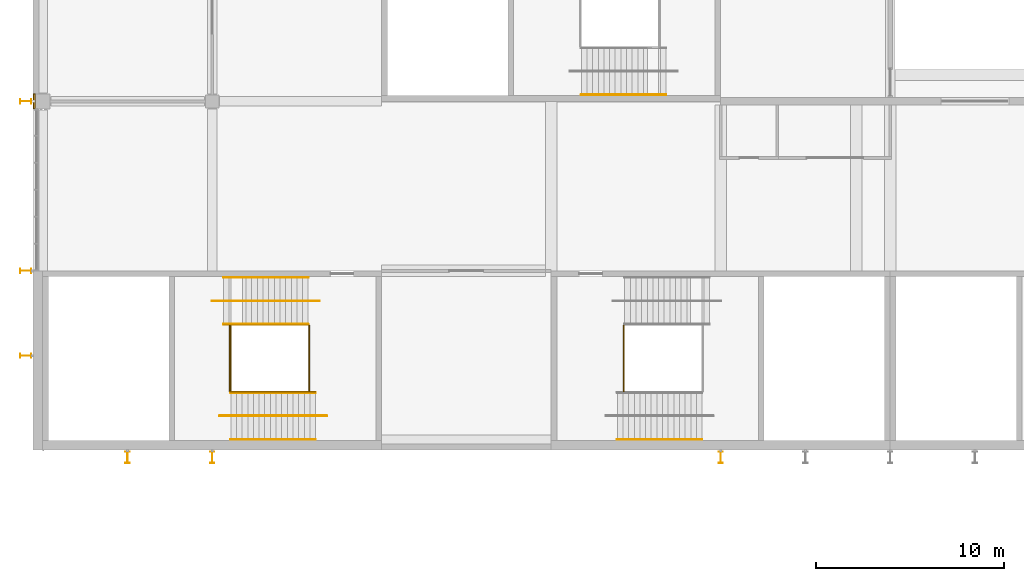
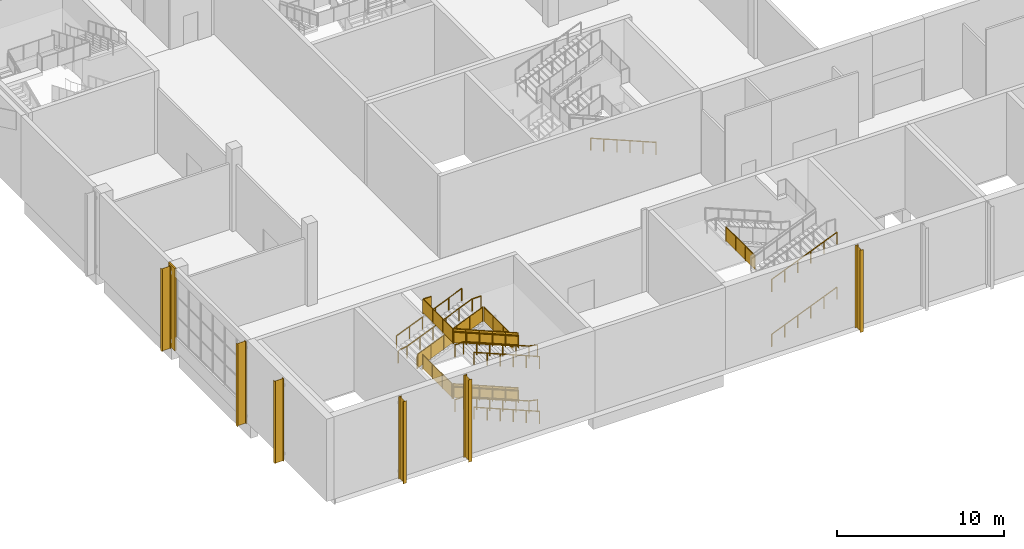
# One storey, part 67 of 89: 19 railings, 6 shading devices, 1 covering.
"""IFC4 building model written with IfcOpenShell, lengths in metres."""

from ifc_helpers import new_model, si_unit, direction, frame, origin, origin_2d, place, context, subcontext, project, spatial, polyline, circle, i_section, outline, extrude, material, layer, layer_set, material_profile, profile_set, type_object, element, save


model = new_model("IFC4")

# Units and contexts
model_context = context("Model", 3, precision=1e-05, world=origin(), true_north=direction((0.0, 1.0)))
body_context = subcontext(model_context, "Body", "Model", "MODEL_VIEW")
ifc_project = project(units=[si_unit("LENGTHUNIT", "METRE"), si_unit("AREAUNIT", "SQUARE_METRE"), si_unit("VOLUMEUNIT", "CUBIC_METRE"), si_unit("PLANEANGLEUNIT", "RADIAN"), si_unit("MASSUNIT", "GRAM", prefix="KILO")], contexts=[model_context])

# Site, building, storey
site_placement = place(None, origin())
site = spatial("IfcSite", under=ifc_project, at=site_placement, CompositionType="ELEMENT")
building_placement = place(site_placement, origin())
building = spatial("IfcBuilding", under=site, at=building_placement, Name="Silverbay Arena", CompositionType="ELEMENT")
storey_placement = place(building_placement, frame((0.0, 0.0, 22.0)))
storey = spatial("IfcBuildingStorey", under=building, at=storey_placement, Name="L03", CompositionType="ELEMENT", Elevation=22.0)

# Covering
ifc_material_1 = material(Name="Aluminium composite cladding", Category="aluminium")
ifc_layer = layer(ifc_material_1, 0.10009765625)
ifc_layer_set = layer_set([ifc_layer], Name="Aluminium composite cladding")
covering_type = type_object("IfcCoveringType", Name="Column cladding 100", PredefinedType="CLADDING", material=ifc_layer_set)
covering_placement = place(storey_placement, origin())
element("IfcCovering", 1, at=covering_placement, inside=storey, type_object=covering_type, Name="West column cladding L03 5", PredefinedType="CLADDING", context=body_context, shape_type="SweptSolid", body=[
    extrude(outline(polyline([(53.5, 35.60009765625), (53.60009765625, 35.60009765625), (53.60009765625, 36.39990234375), (53.5, 36.39990234375), (53.5, 35.60009765625)])), origin(), (0.0, 0.0, 1.0), 6.0),
])

# Railings
ifc_material_2 = material(Name="Stainless steel", Category="steel")
railing_type_1 = type_object("IfcRailingType", Name="Stair guard 1100", PredefinedType="GUARDRAIL", material=ifc_material_2)
railing_1_placement = place(storey_placement, frame((84.85009765625, 24.10009765625, 4.0)))
element("IfcRailing", 2, at=railing_1_placement, inside=storey, type_object=railing_type_1, Name="Stair ST-S1 L03 to L04 landing 2 guard", PredefinedType="GUARDRAIL", context=body_context, shape_type="SweptSolid", body=[
    extrude(circle(Radius=0.02392578125, at=origin_2d()), frame((0.0, 0.0, 1.076171875), z_axis=(0.0, -1.0, 0.0), x_axis=(1.0, 0.0, 0.0)), (0.0, 0.0, 1.0), 3.5),
    extrude(outline(polyline([(-0.008056640625, 0.050048828125), (1.174560546875, 0.050048828125), (1.174560546875, 1.052978515625), (-0.008056640625, 1.052978515625), (-0.008056640625, 0.050048828125)])), frame((0.0029296875, 0.0, 0.0), z_axis=(-1.0, 0.0, 0.0), x_axis=(0.0, -1.0, 0.0)), (0.0, 0.0, 1.0), 0.006103515625),
    extrude(outline(polyline([(-0.008056640625, 0.050048828125), (1.174560546875, 0.050048828125), (1.174560546875, 1.052978515625), (-0.008056640625, 1.052978515625), (-0.008056640625, 0.050048828125)])), frame((0.0029296875, -1.166748046875, 0.0), z_axis=(-1.0, 0.0, 0.0), x_axis=(0.0, -1.0, 0.0)), (0.0, 0.0, 1.0), 0.006103515625),
    extrude(outline(polyline([(-0.008056640625, 0.050048828125), (1.174560546875, 0.050048828125), (1.174560546875, 1.052978515625), (-0.008056640625, 1.052978515625), (-0.008056640625, 0.050048828125)])), frame((0.0029296875, -2.333251953125, 0.0), z_axis=(-1.0, 0.0, 0.0), x_axis=(0.0, -1.0, 0.0)), (0.0, 0.0, 1.0), 0.006103515625),
    extrude(circle(Radius=0.02099609375, at=origin_2d()), origin(), (0.0, 0.0, 1.0), 1.052001953125),
    extrude(circle(Radius=0.02099609375, at=origin_2d()), frame((0.0, -1.166748046875, 0.0)), (0.0, 0.0, 1.0), 1.052001953125),
    extrude(circle(Radius=0.02099609375, at=origin_2d()), frame((0.0, -2.333251953125, 0.0)), (0.0, 0.0, 1.0), 1.052001953125),
    extrude(circle(Radius=0.02099609375, at=origin_2d()), frame((0.0, -3.5, 0.0)), (0.0, 0.0, 1.0), 1.052001953125),
])
railing_2_placement = place(storey_placement, frame((68.489990234375, 20.574951171875, 0.125)))
element("IfcRailing", 3, at=railing_2_placement, inside=storey, type_object=railing_type_1, Name="Stair ST-S5 L03 to L04 flight 1 guard left", PredefinedType="GUARDRAIL", context=body_context, shape_type="SweptSolid", body=[
    extrude(circle(Radius=0.02392578125, at=origin_2d()), frame((0.0, 0.0, 1.076171875), z_axis=(-0.923076923077, 0.0, 0.384615384615), x_axis=(0.0, -1.0, 0.0)), (0.0, 0.0, 1.0), 4.875),
    extrude(outline(polyline([(-0.008056640625, 0.046630859375), (0.907958984375, 0.42822265625), (0.907958984375, 1.431396484375), (-0.008056640625, 1.049560546875), (-0.008056640625, 0.046630859375)])), frame((0.0, -0.0029296875, 0.0), z_axis=(0.0, 1.0, 0.0), x_axis=(-1.0, 0.0, 0.0)), (0.0, 0.0, 1.0), 0.006103515625),
    extrude(outline(polyline([(-0.008056640625, 0.421630859375), (0.907958984375, 0.80322265625), (0.907958984375, 1.806396484375), (-0.008056640625, 1.424560546875), (-0.008056640625, 0.421630859375)])), frame((-0.89990234375, -0.0029296875, 0.0), z_axis=(0.0, 1.0, 0.0), x_axis=(-1.0, 0.0, 0.0)), (0.0, 0.0, 1.0), 0.006103515625),
    extrude(outline(polyline([(-0.008056640625, 0.796630859375), (0.907958984375, 1.17822265625), (0.907958984375, 2.181396484375), (-0.008056640625, 1.799560546875), (-0.008056640625, 0.796630859375)])), frame((-1.800048828125, -0.0029296875, 0.0), z_axis=(0.0, 1.0, 0.0), x_axis=(-1.0, 0.0, 0.0)), (0.0, 0.0, 1.0), 0.006103515625),
    extrude(outline(polyline([(-0.008056640625, 1.171630859375), (0.907958984375, 1.55322265625), (0.907958984375, 2.556396484375), (-0.008056640625, 2.174560546875), (-0.008056640625, 1.171630859375)])), frame((-2.699951171875, -0.0029296875, 0.0), z_axis=(0.0, 1.0, 0.0), x_axis=(-1.0, 0.0, 0.0)), (0.0, 0.0, 1.0), 0.006103515625),
    extrude(outline(polyline([(-0.008056640625, 1.546630859375), (0.907958984375, 1.92822265625), (0.907958984375, 2.931396484375), (-0.008056640625, 2.549560546875), (-0.008056640625, 1.546630859375)])), frame((-3.60009765625, -0.0029296875, 0.0), z_axis=(0.0, 1.0, 0.0), x_axis=(-1.0, 0.0, 0.0)), (0.0, 0.0, 1.0), 0.006103515625),
    extrude(circle(Radius=0.02099609375, at=origin_2d()), origin(), (0.0, 0.0, 1.0), 1.052001953125),
    extrude(circle(Radius=0.02099609375, at=origin_2d()), frame((-0.89990234375, 0.0, 0.375)), (0.0, 0.0, 1.0), 1.052001953125),
    extrude(circle(Radius=0.02099609375, at=origin_2d()), frame((-1.800048828125, 0.0, 0.75)), (0.0, 0.0, 1.0), 1.052001953125),
    extrude(circle(Radius=0.02099609375, at=origin_2d()), frame((-2.699951171875, 0.0, 1.125)), (0.0, 0.0, 1.0), 1.052001953125),
    extrude(circle(Radius=0.02099609375, at=origin_2d()), frame((-3.60009765625, 0.0, 1.5)), (0.0, 0.0, 1.0), 1.052001953125),
    extrude(circle(Radius=0.02099609375, at=origin_2d()), frame((-4.5, 0.0, 1.875)), (0.0, 0.0, 1.0), 1.052001953125),
])
railing_3_placement = place(storey_placement, frame((63.60009765625, 24.125, 2.125)))
element("IfcRailing", 4, at=railing_3_placement, inside=storey, type_object=railing_type_1, Name="Stair ST-S5 L03 to L04 flight 2 guard right", PredefinedType="GUARDRAIL", context=body_context, shape_type="SweptSolid", body=[
    extrude(circle(Radius=0.02392578125, at=origin_2d()), frame((0.0, 0.0, 1.076171875), z_axis=(0.923076923077, 0.0, 0.384615384615), x_axis=(0.0, 1.0, 0.0)), (0.0, 0.0, 1.0), 4.875),
    extrude(outline(polyline([(-0.008056640625, 0.046630859375), (0.907958984375, 0.42822265625), (0.907958984375, 1.431396484375), (-0.008056640625, 1.049560546875), (-0.008056640625, 0.046630859375)])), frame((0.0, 0.0029296875, 0.0), z_axis=(0.0, -1.0, 0.0), x_axis=(1.0, 0.0, 0.0)), (0.0, 0.0, 1.0), 0.006103515625),
    extrude(outline(polyline([(-0.008056640625, 0.421630859375), (0.907958984375, 0.80322265625), (0.907958984375, 1.806396484375), (-0.008056640625, 1.424560546875), (-0.008056640625, 0.421630859375)])), frame((0.89990234375, 0.0029296875, 0.0), z_axis=(0.0, -1.0, 0.0), x_axis=(1.0, 0.0, 0.0)), (0.0, 0.0, 1.0), 0.006103515625),
    extrude(outline(polyline([(-0.008056640625, 0.796630859375), (0.907958984375, 1.17822265625), (0.907958984375, 2.181396484375), (-0.008056640625, 1.799560546875), (-0.008056640625, 0.796630859375)])), frame((1.800048828125, 0.0029296875, 0.0), z_axis=(0.0, -1.0, 0.0), x_axis=(1.0, 0.0, 0.0)), (0.0, 0.0, 1.0), 0.006103515625),
    extrude(outline(polyline([(-0.008056640625, 1.171630859375), (0.907958984375, 1.55322265625), (0.907958984375, 2.556396484375), (-0.008056640625, 2.174560546875), (-0.008056640625, 1.171630859375)])), frame((2.699951171875, 0.0029296875, 0.0), z_axis=(0.0, -1.0, 0.0), x_axis=(1.0, 0.0, 0.0)), (0.0, 0.0, 1.0), 0.006103515625),
    extrude(outline(polyline([(-0.008056640625, 1.546630859375), (0.907958984375, 1.92822265625), (0.907958984375, 2.931396484375), (-0.008056640625, 2.549560546875), (-0.008056640625, 1.546630859375)])), frame((3.60009765625, 0.0029296875, 0.0), z_axis=(0.0, -1.0, 0.0), x_axis=(1.0, 0.0, 0.0)), (0.0, 0.0, 1.0), 0.006103515625),
    extrude(circle(Radius=0.02099609375, at=origin_2d()), origin(), (0.0, 0.0, 1.0), 1.052001953125),
    extrude(circle(Radius=0.02099609375, at=origin_2d()), frame((0.89990234375, 0.0, 0.375)), (0.0, 0.0, 1.0), 1.052001953125),
    extrude(circle(Radius=0.02099609375, at=origin_2d()), frame((1.800048828125, 0.0, 0.75)), (0.0, 0.0, 1.0), 1.052001953125),
    extrude(circle(Radius=0.02099609375, at=origin_2d()), frame((2.699951171875, 0.0, 1.125)), (0.0, 0.0, 1.0), 1.052001953125),
    extrude(circle(Radius=0.02099609375, at=origin_2d()), frame((3.60009765625, 0.0, 1.5)), (0.0, 0.0, 1.0), 1.052001953125),
    extrude(circle(Radius=0.02099609375, at=origin_2d()), frame((4.5, 0.0, 1.875)), (0.0, 0.0, 1.0), 1.052001953125),
])
railing_4_placement = place(storey_placement, frame((68.489990234375, 20.574951171875, 4.125)))
element("IfcRailing", 5, at=railing_4_placement, inside=storey, type_object=railing_type_1, Name="Stair ST-S5 L03 to L04 flight 3 guard left", PredefinedType="GUARDRAIL", context=body_context, shape_type="SweptSolid", body=[
    extrude(circle(Radius=0.02392578125, at=origin_2d()), frame((0.0, 0.0, 1.076171875), z_axis=(-0.923076923077, 0.0, 0.384615384615), x_axis=(0.0, -1.0, 0.0)), (0.0, 0.0, 1.0), 4.875),
    extrude(outline(polyline([(-0.008056640625, 0.046630859375), (0.907958984375, 0.42822265625), (0.907958984375, 1.431396484375), (-0.008056640625, 1.049560546875), (-0.008056640625, 0.046630859375)])), frame((0.0, -0.0029296875, 0.0), z_axis=(0.0, 1.0, 0.0), x_axis=(-1.0, 0.0, 0.0)), (0.0, 0.0, 1.0), 0.006103515625),
    extrude(outline(polyline([(-0.008056640625, 0.421630859375), (0.907958984375, 0.80322265625), (0.907958984375, 1.806396484375), (-0.008056640625, 1.424560546875), (-0.008056640625, 0.421630859375)])), frame((-0.89990234375, -0.0029296875, 0.0), z_axis=(0.0, 1.0, 0.0), x_axis=(-1.0, 0.0, 0.0)), (0.0, 0.0, 1.0), 0.006103515625),
    extrude(outline(polyline([(-0.008056640625, 0.796630859375), (0.907958984375, 1.17822265625), (0.907958984375, 2.181396484375), (-0.008056640625, 1.799560546875), (-0.008056640625, 0.796630859375)])), frame((-1.800048828125, -0.0029296875, 0.0), z_axis=(0.0, 1.0, 0.0), x_axis=(-1.0, 0.0, 0.0)), (0.0, 0.0, 1.0), 0.006103515625),
    extrude(outline(polyline([(-0.008056640625, 1.171630859375), (0.907958984375, 1.55322265625), (0.907958984375, 2.556396484375), (-0.008056640625, 2.174560546875), (-0.008056640625, 1.171630859375)])), frame((-2.699951171875, -0.0029296875, 0.0), z_axis=(0.0, 1.0, 0.0), x_axis=(-1.0, 0.0, 0.0)), (0.0, 0.0, 1.0), 0.006103515625),
    extrude(outline(polyline([(-0.008056640625, 1.546630859375), (0.907958984375, 1.92822265625), (0.907958984375, 2.931396484375), (-0.008056640625, 2.549560546875), (-0.008056640625, 1.546630859375)])), frame((-3.60009765625, -0.0029296875, 0.0), z_axis=(0.0, 1.0, 0.0), x_axis=(-1.0, 0.0, 0.0)), (0.0, 0.0, 1.0), 0.006103515625),
    extrude(circle(Radius=0.02099609375, at=origin_2d()), origin(), (0.0, 0.0, 1.0), 1.052001953125),
    extrude(circle(Radius=0.02099609375, at=origin_2d()), frame((-0.89990234375, 0.0, 0.375)), (0.0, 0.0, 1.0), 1.052001953125),
    extrude(circle(Radius=0.02099609375, at=origin_2d()), frame((-1.800048828125, 0.0, 0.75)), (0.0, 0.0, 1.0), 1.052001953125),
    extrude(circle(Radius=0.02099609375, at=origin_2d()), frame((-2.699951171875, 0.0, 1.125)), (0.0, 0.0, 1.0), 1.052001953125),
    extrude(circle(Radius=0.02099609375, at=origin_2d()), frame((-3.60009765625, 0.0, 1.5)), (0.0, 0.0, 1.0), 1.052001953125),
    extrude(circle(Radius=0.02099609375, at=origin_2d()), frame((-4.5, 0.0, 1.875)), (0.0, 0.0, 1.0), 1.052001953125),
])
for number, where, name in (
    (6, (63.93994140625, 24.10009765625, 2.0), "Stair ST-S5 L03 to L04 landing 1 guard"),
    (7, (68.14990234375, 24.10009765625, 4.0), "Stair ST-S5 L03 to L04 landing 2 guard"),
):
    element("IfcRailing", number, at=place(storey_placement, frame(where)), inside=storey, type_object=railing_type_1, Name=name, PredefinedType="GUARDRAIL", context=body_context, shape_type="SweptSolid", body=[
        extrude(circle(Radius=0.02392578125, at=origin_2d()), frame((0.0, 0.0, 1.076171875), z_axis=(0.0, -1.0, 0.0), x_axis=(1.0, 0.0, 0.0)), (0.0, 0.0, 1.0), 3.5),
        extrude(outline(polyline([(-0.008056640625, 0.050048828125), (1.174560546875, 0.050048828125), (1.174560546875, 1.052978515625), (-0.008056640625, 1.052978515625), (-0.008056640625, 0.050048828125)])), frame((0.0029296875, 0.0, 0.0), z_axis=(-1.0, 0.0, 0.0), x_axis=(0.0, -1.0, 0.0)), (0.0, 0.0, 1.0), 0.006103515625),
        extrude(outline(polyline([(-0.008056640625, 0.050048828125), (1.174560546875, 0.050048828125), (1.174560546875, 1.052978515625), (-0.008056640625, 1.052978515625), (-0.008056640625, 0.050048828125)])), frame((0.0029296875, -1.166748046875, 0.0), z_axis=(-1.0, 0.0, 0.0), x_axis=(0.0, -1.0, 0.0)), (0.0, 0.0, 1.0), 0.006103515625),
        extrude(outline(polyline([(-0.008056640625, 0.050048828125), (1.174560546875, 0.050048828125), (1.174560546875, 1.052978515625), (-0.008056640625, 1.052978515625), (-0.008056640625, 0.050048828125)])), frame((0.0029296875, -2.333251953125, 0.0), z_axis=(-1.0, 0.0, 0.0), x_axis=(0.0, -1.0, 0.0)), (0.0, 0.0, 1.0), 0.006103515625),
        extrude(circle(Radius=0.02099609375, at=origin_2d()), origin(), (0.0, 0.0, 1.0), 1.052001953125),
        extrude(circle(Radius=0.02099609375, at=origin_2d()), frame((0.0, -1.166748046875, 0.0)), (0.0, 0.0, 1.0), 1.052001953125),
        extrude(circle(Radius=0.02099609375, at=origin_2d()), frame((0.0, -2.333251953125, 0.0)), (0.0, 0.0, 1.0), 1.052001953125),
        extrude(circle(Radius=0.02099609375, at=origin_2d()), frame((0.0, -3.5, 0.0)), (0.0, 0.0, 1.0), 1.052001953125),
    ])
railing_5_placement = place(storey_placement, frame((64.550048828125, 24.14990234375, 6.0)))
element("IfcRailing", 8, at=railing_5_placement, inside=storey, type_object=railing_type_1, Name="Stair ST-S5 L03 to L04 landing 3 guard", PredefinedType="GUARDRAIL", context=body_context, shape_type="SweptSolid", body=[
    extrude(circle(Radius=0.02392578125, at=origin_2d()), frame((0.0, 0.0, 1.076171875), z_axis=(-1.0, 0.0, 0.0), x_axis=(0.0, -1.0, 0.0)), (0.0, 0.0, 1.0), 0.56005859375),
    extrude(outline(polyline([(-0.008056640625, 0.050048828125), (0.568115234375, 0.050048828125), (0.568115234375, 1.052978515625), (-0.008056640625, 1.052978515625), (-0.008056640625, 0.050048828125)])), frame((0.0, -0.0029296875, 0.0), z_axis=(0.0, 1.0, 0.0), x_axis=(-1.0, 0.0, 0.0)), (0.0, 0.0, 1.0), 0.006103515625),
    extrude(circle(Radius=0.02392578125, at=origin_2d()), frame((-0.56005859375, 0.0, 1.076171875), z_axis=(0.0, -1.0, 0.0), x_axis=(1.0, 0.0, 0.0)), (0.0, 0.0, 1.0), 3.5498046875),
    extrude(outline(polyline([(-0.008056640625, 0.050048828125), (1.191162109375, 0.050048828125), (1.191162109375, 1.052978515625), (-0.008056640625, 1.052978515625), (-0.008056640625, 0.050048828125)])), frame((-0.55712890625, 0.0, 0.0), z_axis=(-1.0, 0.0, 0.0), x_axis=(0.0, -1.0, 0.0)), (0.0, 0.0, 1.0), 0.006103515625),
    extrude(outline(polyline([(-0.008056640625, 0.050048828125), (1.191162109375, 0.050048828125), (1.191162109375, 1.052978515625), (-0.008056640625, 1.052978515625), (-0.008056640625, 0.050048828125)])), frame((-0.55712890625, -1.183349609375, 0.0), z_axis=(-1.0, 0.0, 0.0), x_axis=(0.0, -1.0, 0.0)), (0.0, 0.0, 1.0), 0.006103515625),
    extrude(outline(polyline([(-0.008056640625, 0.050048828125), (1.191162109375, 0.050048828125), (1.191162109375, 1.052978515625), (-0.008056640625, 1.052978515625), (-0.008056640625, 0.050048828125)])), frame((-0.55712890625, -2.366455078125, 0.0), z_axis=(-1.0, 0.0, 0.0), x_axis=(0.0, -1.0, 0.0)), (0.0, 0.0, 1.0), 0.006103515625),
    extrude(circle(Radius=0.02099609375, at=origin_2d()), origin(), (0.0, 0.0, 1.0), 1.052001953125),
    extrude(circle(Radius=0.02099609375, at=origin_2d()), frame((-0.56005859375, 0.0, 0.0)), (0.0, 0.0, 1.0), 1.052001953125),
    extrude(circle(Radius=0.02099609375, at=origin_2d()), frame((-0.56005859375, -1.183349609375, 0.0)), (0.0, 0.0, 1.0), 1.052001953125),
    extrude(circle(Radius=0.02099609375, at=origin_2d()), frame((-0.56005859375, -2.366455078125, 0.0)), (0.0, 0.0, 1.0), 1.052001953125),
    extrude(circle(Radius=0.02099609375, at=origin_2d()), frame((-0.56005859375, -3.5498046875, 0.0)), (0.0, 0.0, 1.0), 1.052001953125),
])
ifc_material_3 = material(Name="Stainless steel", Category="steel")
railing_type_2 = type_object("IfcRailingType", Name="Stair handrail 900", PredefinedType="HANDRAIL", material=ifc_material_3)
for number, where, name in (
    (9, (84.510009765625, 18.050048828125, 0.125), "Stair ST-S1 L03 to L04 flight 1 handrail right"),
    (10, (84.510009765625, 18.050048828125, 4.125), "Stair ST-S1 L03 to L04 flight 3 handrail right"),
):
    element("IfcRailing", number, at=place(storey_placement, frame(where)), inside=storey, type_object=railing_type_2, Name=name, PredefinedType="HANDRAIL", context=body_context, shape_type="SweptSolid", body=[
        extrude(circle(Radius=0.02392578125, at=origin_2d()), frame((0.0, 0.0, 0.8759765625), z_axis=(0.923076923077, 0.0, 0.384615384615), x_axis=(0.0, 1.0, 0.0)), (0.0, 0.0, 1.0), 4.875),
        extrude(circle(Radius=0.02099609375, at=origin_2d()), origin(), (0.0, 0.0, 1.0), 0.851806640625),
        extrude(circle(Radius=0.02099609375, at=origin_2d()), frame((0.89990234375, 0.0, 0.375)), (0.0, 0.0, 1.0), 0.851806640625),
        extrude(circle(Radius=0.02099609375, at=origin_2d()), frame((1.800048828125, 0.0, 0.75)), (0.0, 0.0, 1.0), 0.851806640625),
        extrude(circle(Radius=0.02099609375, at=origin_2d()), frame((2.699951171875, 0.0, 1.125)), (0.0, 0.0, 1.0), 0.851806640625),
        extrude(circle(Radius=0.02099609375, at=origin_2d()), frame((3.60009765625, 0.0, 1.5)), (0.0, 0.0, 1.0), 0.851806640625),
        extrude(circle(Radius=0.02099609375, at=origin_2d()), frame((4.5, 0.0, 1.875)), (0.0, 0.0, 1.0), 0.851806640625),
    ])
for number, where, name in (
    (11, (68.489990234375, 20.535888671875, 0.125), "Stair ST-S5 L03 to L04 flight 1 handrail left"),
    (12, (68.489990234375, 18.050048828125, 0.125), "Stair ST-S5 L03 to L04 flight 1 handrail right"),
):
    element("IfcRailing", number, at=place(storey_placement, frame(where)), inside=storey, type_object=railing_type_2, Name=name, PredefinedType="HANDRAIL", context=body_context, shape_type="SweptSolid", body=[
        extrude(circle(Radius=0.02392578125, at=origin_2d()), frame((0.0, 0.0, 0.8759765625), z_axis=(-0.923076923077, 0.0, 0.384615384615), x_axis=(0.0, -1.0, 0.0)), (0.0, 0.0, 1.0), 4.875),
        extrude(circle(Radius=0.02099609375, at=origin_2d()), origin(), (0.0, 0.0, 1.0), 0.851806640625),
        extrude(circle(Radius=0.02099609375, at=origin_2d()), frame((-0.89990234375, 0.0, 0.375)), (0.0, 0.0, 1.0), 0.851806640625),
        extrude(circle(Radius=0.02099609375, at=origin_2d()), frame((-1.800048828125, 0.0, 0.75)), (0.0, 0.0, 1.0), 0.851806640625),
        extrude(circle(Radius=0.02099609375, at=origin_2d()), frame((-2.699951171875, 0.0, 1.125)), (0.0, 0.0, 1.0), 0.851806640625),
        extrude(circle(Radius=0.02099609375, at=origin_2d()), frame((-3.60009765625, 0.0, 1.5)), (0.0, 0.0, 1.0), 0.851806640625),
        extrude(circle(Radius=0.02099609375, at=origin_2d()), frame((-4.5, 0.0, 1.875)), (0.0, 0.0, 1.0), 0.851806640625),
    ])
railing_6_placement = place(storey_placement, frame((69.090087890625, 19.300048828125, 0.0)))
element("IfcRailing", 13, at=railing_6_placement, inside=storey, type_object=railing_type_2, Name="Stair ST-S5 L03 to L04 flight 1 central handrail", PredefinedType="HANDRAIL", context=body_context, shape_type="SweptSolid", body=[
    extrude(circle(Radius=0.02392578125, at=origin_2d()), frame((0.0, 0.0, 0.8759765625), z_axis=(-0.978987046276, 0.0, 0.203922444139), x_axis=(0.0, -1.0, 0.0)), (0.0, 0.0, 1.0), 0.613037109375),
    extrude(circle(Radius=0.02392578125, at=origin_2d()), frame((-0.60009765625, 0.0, 1.0009765625), z_axis=(-0.923076923077, 0.0, 0.384615384615), x_axis=(0.0, -1.0, 0.0)), (0.0, 0.0, 1.0), 4.875),
    extrude(circle(Radius=0.02392578125, at=origin_2d()), frame((-5.10009765625, 0.0, 2.8759765625), z_axis=(-1.0, 0.0, 0.0), x_axis=(0.0, -1.0, 0.0)), (0.0, 0.0, 1.0), 0.60009765625),
    extrude(circle(Radius=0.02099609375, at=origin_2d()), origin(), (0.0, 0.0, 1.0), 0.851806640625),
    extrude(circle(Radius=0.02099609375, at=origin_2d()), frame((-0.60009765625, 0.0, 0.125)), (0.0, 0.0, 1.0), 0.851806640625),
    extrude(circle(Radius=0.02099609375, at=origin_2d()), frame((-1.5, 0.0, 0.5)), (0.0, 0.0, 1.0), 0.851806640625),
    extrude(circle(Radius=0.02099609375, at=origin_2d()), frame((-2.400146484375, 0.0, 0.875)), (0.0, 0.0, 1.0), 0.851806640625),
    extrude(circle(Radius=0.02099609375, at=origin_2d()), frame((-3.300048828125, 0.0, 1.25)), (0.0, 0.0, 1.0), 0.851806640625),
    extrude(circle(Radius=0.02099609375, at=origin_2d()), frame((-4.2001953125, 0.0, 1.625)), (0.0, 0.0, 1.0), 0.851806640625),
    extrude(circle(Radius=0.02099609375, at=origin_2d()), frame((-5.10009765625, 0.0, 2.0)), (0.0, 0.0, 1.0), 0.851806640625),
    extrude(circle(Radius=0.02099609375, at=origin_2d()), frame((-5.7001953125, 0.0, 2.0)), (0.0, 0.0, 1.0), 0.851806640625),
])
for number, where, name in (
    (14, (63.60009765625, 26.64990234375, 2.125), "Stair ST-S5 L03 to L04 flight 2 handrail left"),
    (15, (63.60009765625, 24.1640625, 2.125), "Stair ST-S5 L03 to L04 flight 2 handrail right"),
):
    element("IfcRailing", number, at=place(storey_placement, frame(where)), inside=storey, type_object=railing_type_2, Name=name, PredefinedType="HANDRAIL", context=body_context, shape_type="SweptSolid", body=[
        extrude(circle(Radius=0.02392578125, at=origin_2d()), frame((0.0, 0.0, 0.8759765625), z_axis=(0.923076923077, 0.0, 0.384615384615), x_axis=(0.0, 1.0, 0.0)), (0.0, 0.0, 1.0), 4.875),
        extrude(circle(Radius=0.02099609375, at=origin_2d()), origin(), (0.0, 0.0, 1.0), 0.851806640625),
        extrude(circle(Radius=0.02099609375, at=origin_2d()), frame((0.89990234375, 0.0, 0.375)), (0.0, 0.0, 1.0), 0.851806640625),
        extrude(circle(Radius=0.02099609375, at=origin_2d()), frame((1.800048828125, 0.0, 0.75)), (0.0, 0.0, 1.0), 0.851806640625),
        extrude(circle(Radius=0.02099609375, at=origin_2d()), frame((2.699951171875, 0.0, 1.125)), (0.0, 0.0, 1.0), 0.851806640625),
        extrude(circle(Radius=0.02099609375, at=origin_2d()), frame((3.60009765625, 0.0, 1.5)), (0.0, 0.0, 1.0), 0.851806640625),
        extrude(circle(Radius=0.02099609375, at=origin_2d()), frame((4.5, 0.0, 1.875)), (0.0, 0.0, 1.0), 0.851806640625),
    ])
railing_7_placement = place(storey_placement, frame((63.0, 25.39990234375, 2.0)))
element("IfcRailing", 16, at=railing_7_placement, inside=storey, type_object=railing_type_2, Name="Stair ST-S5 L03 to L04 flight 2 central handrail", PredefinedType="HANDRAIL", context=body_context, shape_type="SweptSolid", body=[
    extrude(circle(Radius=0.02392578125, at=origin_2d()), frame((0.0, 0.0, 0.8759765625), z_axis=(0.978987046276, 0.0, 0.203922444139), x_axis=(0.0, 1.0, 0.0)), (0.0, 0.0, 1.0), 0.613037109375),
    extrude(circle(Radius=0.02392578125, at=origin_2d()), frame((0.60009765625, 0.0, 1.0009765625), z_axis=(0.923076923077, 0.0, 0.384615384615), x_axis=(0.0, 1.0, 0.0)), (0.0, 0.0, 1.0), 4.875),
    extrude(circle(Radius=0.02392578125, at=origin_2d()), frame((5.10009765625, 0.0, 2.8759765625), z_axis=(1.0, 0.0, 0.0), x_axis=(0.0, 1.0, 0.0)), (0.0, 0.0, 1.0), 0.599853515625),
    extrude(circle(Radius=0.02099609375, at=origin_2d()), origin(), (0.0, 0.0, 1.0), 0.851806640625),
    extrude(circle(Radius=0.02099609375, at=origin_2d()), frame((0.60009765625, 0.0, 0.125)), (0.0, 0.0, 1.0), 0.851806640625),
    extrude(circle(Radius=0.02099609375, at=origin_2d()), frame((1.5, 0.0, 0.5)), (0.0, 0.0, 1.0), 0.851806640625),
    extrude(circle(Radius=0.02099609375, at=origin_2d()), frame((2.400146484375, 0.0, 0.875)), (0.0, 0.0, 1.0), 0.851806640625),
    extrude(circle(Radius=0.02099609375, at=origin_2d()), frame((3.300048828125, 0.0, 1.25)), (0.0, 0.0, 1.0), 0.851806640625),
    extrude(circle(Radius=0.02099609375, at=origin_2d()), frame((4.2001953125, 0.0, 1.625)), (0.0, 0.0, 1.0), 0.851806640625),
    extrude(circle(Radius=0.02099609375, at=origin_2d()), frame((5.10009765625, 0.0, 2.0)), (0.0, 0.0, 1.0), 0.851806640625),
    extrude(circle(Radius=0.02099609375, at=origin_2d()), frame((5.699951171875, 0.0, 2.0)), (0.0, 0.0, 1.0), 0.851806640625),
])
for number, where, name in (
    (17, (68.489990234375, 20.535888671875, 4.125), "Stair ST-S5 L03 to L04 flight 3 handrail left"),
    (18, (68.489990234375, 18.050048828125, 4.125), "Stair ST-S5 L03 to L04 flight 3 handrail right"),
):
    element("IfcRailing", number, at=place(storey_placement, frame(where)), inside=storey, type_object=railing_type_2, Name=name, PredefinedType="HANDRAIL", context=body_context, shape_type="SweptSolid", body=[
        extrude(circle(Radius=0.02392578125, at=origin_2d()), frame((0.0, 0.0, 0.8759765625), z_axis=(-0.923076923077, 0.0, 0.384615384615), x_axis=(0.0, -1.0, 0.0)), (0.0, 0.0, 1.0), 4.875),
        extrude(circle(Radius=0.02099609375, at=origin_2d()), origin(), (0.0, 0.0, 1.0), 0.851806640625),
        extrude(circle(Radius=0.02099609375, at=origin_2d()), frame((-0.89990234375, 0.0, 0.375)), (0.0, 0.0, 1.0), 0.851806640625),
        extrude(circle(Radius=0.02099609375, at=origin_2d()), frame((-1.800048828125, 0.0, 0.75)), (0.0, 0.0, 1.0), 0.851806640625),
        extrude(circle(Radius=0.02099609375, at=origin_2d()), frame((-2.699951171875, 0.0, 1.125)), (0.0, 0.0, 1.0), 0.851806640625),
        extrude(circle(Radius=0.02099609375, at=origin_2d()), frame((-3.60009765625, 0.0, 1.5)), (0.0, 0.0, 1.0), 0.851806640625),
        extrude(circle(Radius=0.02099609375, at=origin_2d()), frame((-4.5, 0.0, 1.875)), (0.0, 0.0, 1.0), 0.851806640625),
    ])
railing_8_placement = place(storey_placement, frame((69.090087890625, 19.300048828125, 4.0)))
element("IfcRailing", 19, at=railing_8_placement, inside=storey, type_object=railing_type_2, Name="Stair ST-S5 L03 to L04 flight 3 central handrail", PredefinedType="HANDRAIL", context=body_context, shape_type="SweptSolid", body=[
    extrude(circle(Radius=0.02392578125, at=origin_2d()), frame((0.0, 0.0, 0.8759765625), z_axis=(-0.978987046276, 0.0, 0.203922444139), x_axis=(0.0, -1.0, 0.0)), (0.0, 0.0, 1.0), 0.613037109375),
    extrude(circle(Radius=0.02392578125, at=origin_2d()), frame((-0.60009765625, 0.0, 1.0009765625), z_axis=(-0.923076923077, 0.0, 0.384615384615), x_axis=(0.0, -1.0, 0.0)), (0.0, 0.0, 1.0), 4.875),
    extrude(circle(Radius=0.02392578125, at=origin_2d()), frame((-5.10009765625, 0.0, 2.8759765625), z_axis=(-1.0, 0.0, 0.0), x_axis=(0.0, -1.0, 0.0)), (0.0, 0.0, 1.0), 0.60009765625),
    extrude(circle(Radius=0.02099609375, at=origin_2d()), origin(), (0.0, 0.0, 1.0), 0.851806640625),
    extrude(circle(Radius=0.02099609375, at=origin_2d()), frame((-0.60009765625, 0.0, 0.125)), (0.0, 0.0, 1.0), 0.851806640625),
    extrude(circle(Radius=0.02099609375, at=origin_2d()), frame((-1.5, 0.0, 0.5)), (0.0, 0.0, 1.0), 0.851806640625),
    extrude(circle(Radius=0.02099609375, at=origin_2d()), frame((-2.400146484375, 0.0, 0.875)), (0.0, 0.0, 1.0), 0.851806640625),
    extrude(circle(Radius=0.02099609375, at=origin_2d()), frame((-3.300048828125, 0.0, 1.25)), (0.0, 0.0, 1.0), 0.851806640625),
    extrude(circle(Radius=0.02099609375, at=origin_2d()), frame((-4.2001953125, 0.0, 1.625)), (0.0, 0.0, 1.0), 0.851806640625),
    extrude(circle(Radius=0.02099609375, at=origin_2d()), frame((-5.10009765625, 0.0, 2.0)), (0.0, 0.0, 1.0), 0.851806640625),
    extrude(circle(Radius=0.02099609375, at=origin_2d()), frame((-5.7001953125, 0.0, 2.0)), (0.0, 0.0, 1.0), 0.851806640625),
])
railing_9_placement = place(storey_placement, frame((87.10009765625, 36.35009765625, 2.125)))
element("IfcRailing", 20, at=railing_9_placement, inside=storey, type_object=railing_type_2, Name="Stair ST-SW1 L03 to L04 flight 2 handrail right", PredefinedType="HANDRAIL", context=body_context, shape_type="SweptSolid", body=[
    extrude(circle(Radius=0.02392578125, at=origin_2d()), frame((0.0, 0.0, 0.8759765625), z_axis=(-0.923076923077, 0.0, 0.384615384615), x_axis=(0.0, -1.0, 0.0)), (0.0, 0.0, 1.0), 4.875),
    extrude(circle(Radius=0.02099609375, at=origin_2d()), origin(), (0.0, 0.0, 1.0), 0.851806640625),
    extrude(circle(Radius=0.02099609375, at=origin_2d()), frame((-0.89990234375, 0.0, 0.375)), (0.0, 0.0, 1.0), 0.851806640625),
    extrude(circle(Radius=0.02099609375, at=origin_2d()), frame((-1.800048828125, 0.0, 0.75)), (0.0, 0.0, 1.0), 0.851806640625),
    extrude(circle(Radius=0.02099609375, at=origin_2d()), frame((-2.699951171875, 0.0, 1.125)), (0.0, 0.0, 1.0), 0.851806640625),
    extrude(circle(Radius=0.02099609375, at=origin_2d()), frame((-3.60009765625, 0.0, 1.5)), (0.0, 0.0, 1.0), 0.851806640625),
    extrude(circle(Radius=0.02099609375, at=origin_2d()), frame((-4.5, 0.0, 1.875)), (0.0, 0.0, 1.0), 0.851806640625),
])

# Shading devices
ifc_material_4 = material(Name="Steel S355", Category="steel")
ifc_material_profile = material_profile(ifc_material_4, i_section(OverallWidth=0.2275390625, OverallDepth=0.6025390625, WebThickness=0.010498046875, FlangeThickness=0.014892578125, at=origin_2d()), Name="UB 610x229x101")
ifc_profile_set = profile_set([ifc_material_profile], Name="Steel S355")
shading_device_type = type_object("IfcShadingDeviceType", Name="Steel fin UB 610x229x101", PredefinedType="USERDEFINED", material=ifc_profile_set)
for number, where, z_axis, x_axis, name in (
    (21, (58.5, 17.0986328125, 0.0), (0.0, 0.0, 1.0), (1.0, 0.0, 0.0), "Steel fin S L03 1"),
    (22, (63.0, 17.0986328125, 0.0), (0.0, 0.0, 1.0), (1.0, 0.0, 0.0), "Steel fin S L03 2"),
    (23, (90.0, 17.0986328125, 0.0), (0.0, 0.0, 1.0), (1.0, 0.0, 0.0), "Steel fin S L03 8"),
    (24, (53.0986328125, 22.5, 0.0), (0.0, 0.0, 1.0), (0.0, 1.0, 0.0), "Steel fin W L03 1"),
    (25, (53.0986328125, 27.0, 0.0), (0.0, 0.0, 1.0), (0.0, 1.0, 0.0), "Steel fin W L03 2"),
    (26, (53.0986328125, 36.0, 0.0), (0.0, 0.0, 1.0), (0.0, 1.0, 0.0), "Steel fin W L03 4"),
):
    element("IfcShadingDevice", number, at=place(storey_placement, frame(where, z_axis=z_axis, x_axis=x_axis)), inside=storey, type_object=shading_device_type, Name=name, ObjectType="FIN", PredefinedType="USERDEFINED", context=body_context, shape_type="SweptSolid", body=[
        extrude(i_section(OverallWidth=0.2275390625, OverallDepth=0.6025390625, WebThickness=0.010498046875, FlangeThickness=0.014892578125, at=origin_2d()), origin(), (0.0, 0.0, 1.0), 6.0),
    ])

save(model, "model.ifc")
